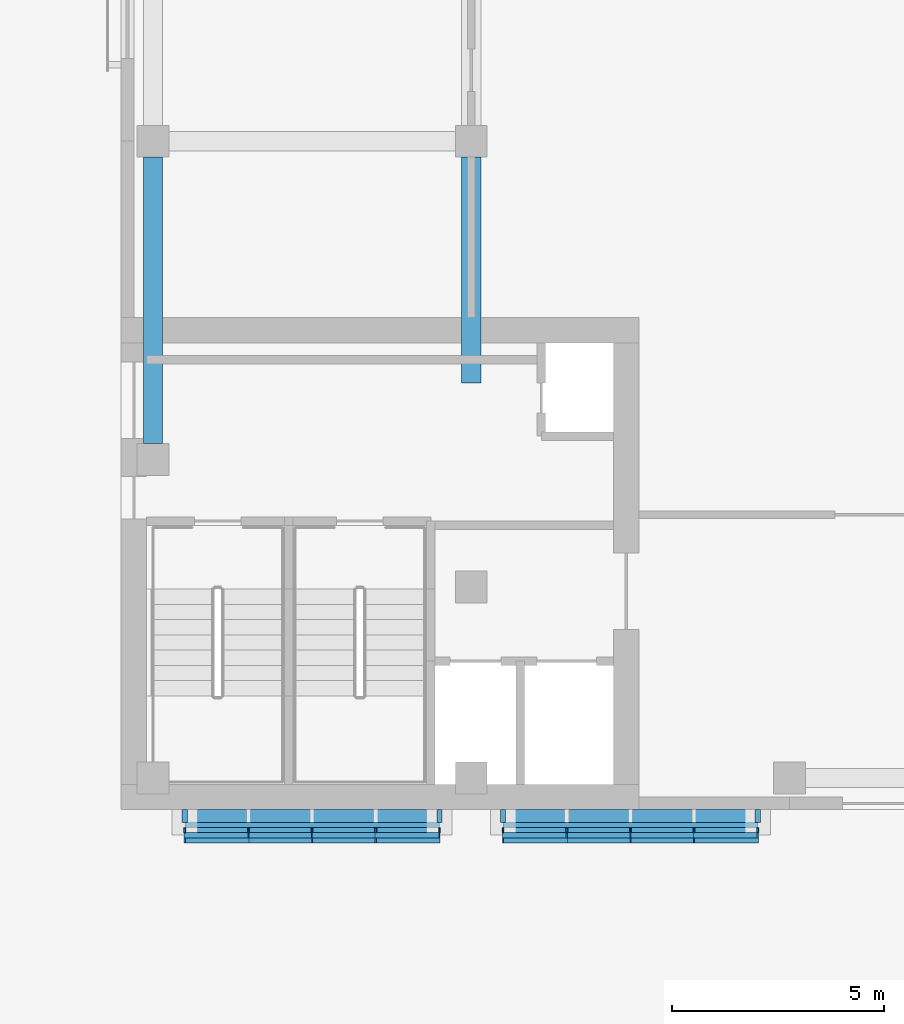
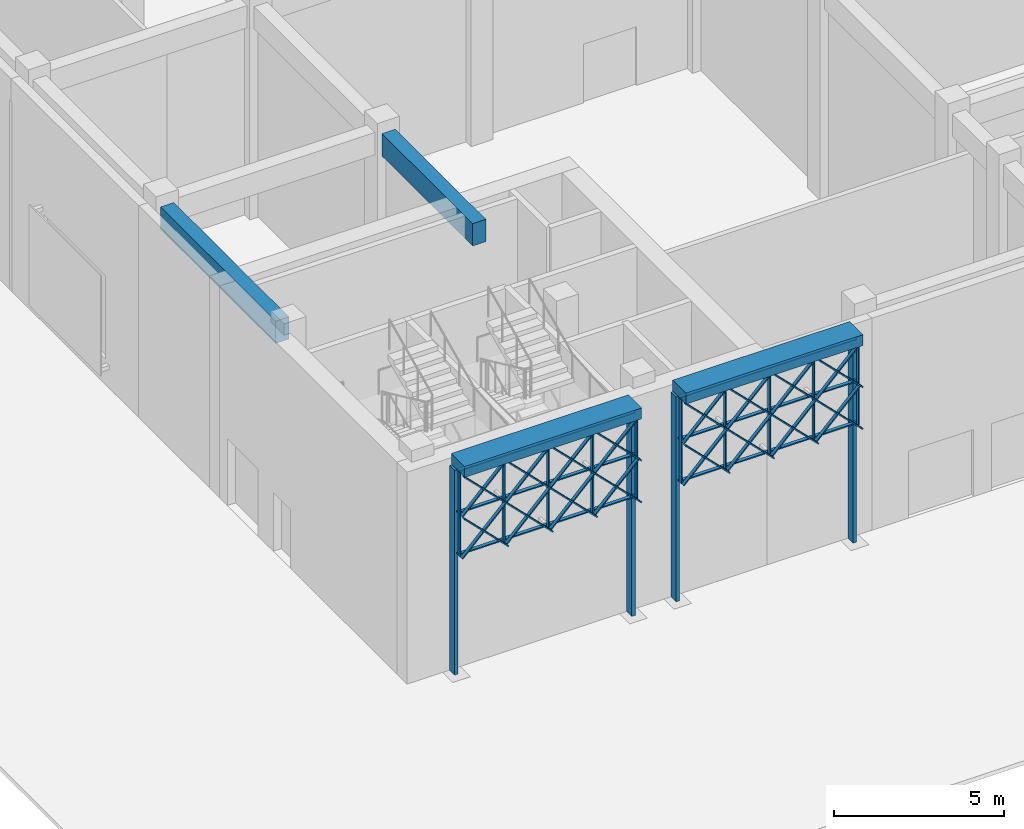
# One storey, part 2 of 64: 40 members, 4 beams.
"""IFC4 building model written with IfcOpenShell, lengths in metres."""

import ifcopenshell
import ifcopenshell.guid

model = None  # the IFC model being written
_history = None  # IfcOwnerHistory: only IFC2X3 demands one
_inside = {}  # id of a spatial element -> (the spatial element, [elements in it])
_under = {}  # id of a project, library or spatial element -> (it, [spatial elements below it])
_declared = {}  # id of a project -> (the project, [libraries it declares])
_typed = {}  # id of a type object -> (the type object, [elements of that type])
_made_of = {}  # id of a material, layer set ... -> (it, [elements and type objects made of it])


def new_model(schema):
    """Start an empty IFC model of exactly this schema.

    Asked for "IFC4X3", IfcOpenShell would pick the latest addendum, in which some entities
    have other attributes; the version numbers below select the first issue.
    IFC2X3 requires an IfcOwnerHistory on every rooted entity: one is made here for all.
    """
    global model, _history
    if schema == "IFC4X3":
        model = ifcopenshell.file(schema_version=(4, 3, 0, 0))
    else:
        model = ifcopenshell.file(schema=schema)
    _inside.clear()
    _under.clear()
    _declared.clear()
    _typed.clear()
    _made_of.clear()
    _history = None
    if model.schema == "IFC2X3":
        org = make("IfcOrganization", Name="unknown")
        user = make(
            "IfcPersonAndOrganization",
            ThePerson=make("IfcPerson", FamilyName="unknown"),
            TheOrganization=org,
        )
        app = make(
            "IfcApplication",
            ApplicationDeveloper=org,
            Version="unknown",
            ApplicationFullName="unknown",
            ApplicationIdentifier="unknown",
        )
        _history = make(
            "IfcOwnerHistory",
            OwningUser=user,
            OwningApplication=app,
            ChangeAction="ADDED",
            CreationDate=0,
        )
    return model


def make(cls, **values):
    """One entity of the class cls with the attributes given. An attribute that is None is left unset."""
    return model.create_entity(
        cls, **{name: value for name, value in values.items() if value is not None}
    )


def rooted(cls, **values):
    """An entity with a GlobalId (a new one), such as an element, a storey or a relation."""
    return make(cls, GlobalId=ifcopenshell.guid.new(), OwnerHistory=_history, **values)


def si_unit(unit_type, name, prefix=None):
    """IfcSIUnit, for example si_unit("LENGTHUNIT", "METRE", prefix="MILLI")."""
    return make("IfcSIUnit", UnitType=unit_type, Prefix=prefix, Name=name)


def assignment(units):
    """IfcUnitAssignment: the units of a project."""
    return None if units is None else make("IfcUnitAssignment", Units=units)


def point(xyz):
    """IfcCartesianPoint."""
    return None if xyz is None else make("IfcCartesianPoint", Coordinates=xyz)


def direction(xyz):
    """IfcDirection."""
    return None if xyz is None else make("IfcDirection", DirectionRatios=xyz)


def frame(location, z_axis=None, x_axis=None):
    """IfcAxis2Placement3D, a coordinate frame: its origin and axes. An axis left out is left unset."""
    return make(
        "IfcAxis2Placement3D",
        Location=point(location),
        Axis=direction(z_axis),
        RefDirection=direction(x_axis),
    )


def frame_2d(location, x_axis=None):
    """IfcAxis2Placement2D, a coordinate frame in the plane: its origin and x axis."""
    return make(
        "IfcAxis2Placement2D", Location=point(location), RefDirection=direction(x_axis)
    )


def origin():
    """The frame at (0, 0, 0) with its axes left unset."""
    return frame((0.0, 0.0, 0.0))


def origin_2d():
    """The frame at (0, 0) in the plane with its x axis left unset."""
    return frame_2d((0.0, 0.0))


def place(relative_to, where):
    """IfcLocalPlacement: puts the frame where relative to a parent placement (None: the world)."""
    return make(
        "IfcLocalPlacement", PlacementRelTo=relative_to, RelativePlacement=where
    )


def context(
    kind, dimensions, precision=None, world=None, true_north=None, identifier=None
):
    """IfcGeometricRepresentationContext, for example the 3D "Model" context."""
    return make(
        "IfcGeometricRepresentationContext",
        ContextIdentifier=identifier,
        ContextType=kind,
        CoordinateSpaceDimension=dimensions,
        Precision=precision,
        WorldCoordinateSystem=world,
        TrueNorth=true_north,
    )


def subcontext(parent, identifier, kind, view, scale=None):
    """IfcGeometricRepresentationSubContext, for example "Body" below "Model"."""
    return make(
        "IfcGeometricRepresentationSubContext",
        ContextIdentifier=identifier,
        ContextType=kind,
        ParentContext=parent,
        TargetScale=scale,
        TargetView=view,
    )


def project(units=None, contexts=None):
    """IfcProject with its units and contexts."""
    return rooted(
        "IfcProject",
        Name="project",
        RepresentationContexts=contexts,
        UnitsInContext=assignment(units),
    )


def spatial(cls, under=None, at=None, **own):
    """A site, building, storey or space (cls), placed at a placement, below another one or the project."""
    s = rooted(cls, ObjectPlacement=at, **own)
    if under is not None:
        _under.setdefault(under.id(), (under, []))[1].append(s)
    return s


def profile(cls, at=None, kind="AREA", **sizes):
    """A parametric profile (cls). Its sizes go by their IFC names, for example OverallWidth=200.0."""
    return make(cls, ProfileType=kind, Position=at, **sizes)


def rectangle(**sizes):
    """IfcRectangleProfileDef."""
    return profile("IfcRectangleProfileDef", **sizes)


def extrude(swept, where, along, depth):
    """IfcExtrudedAreaSolid: the profile swept, set in the frame where, extruded along a direction by depth."""
    return make(
        "IfcExtrudedAreaSolid",
        SweptArea=swept,
        Position=where,
        ExtrudedDirection=direction(along),
        Depth=depth,
    )


def shape(context_of_items, identifier, shape_type, items):
    """IfcShapeRepresentation: the items that make up one representation, for example the "Body"."""
    return make(
        "IfcShapeRepresentation",
        ContextOfItems=context_of_items,
        RepresentationIdentifier=identifier,
        RepresentationType=shape_type,
        Items=items,
    )


def material(Name=None, Category=None):
    """IfcMaterial."""
    return make("IfcMaterial", Name=Name, Category=Category)


def material_profile(
    of_material, cross_section, Name=None, Category=None, Priority=None
):
    """IfcMaterialProfile: a cross section and its material."""
    return make(
        "IfcMaterialProfile",
        Name=Name,
        Material=of_material,
        Profile=cross_section,
        Priority=Priority,
        Category=Category,
    )


def profile_set(profiles, Name=None, composite=None):
    """IfcMaterialProfileSet."""
    return make(
        "IfcMaterialProfileSet",
        Name=Name,
        MaterialProfiles=profiles,
        CompositeProfile=composite,
    )


def made_of(thing, what):
    """Note that an element or type object is made of a material, layer set ...; save() writes the relation."""
    if what is not None:
        _made_of.setdefault(what.id(), (what, []))[1].append(thing)
    return thing


def type_object(cls, material=None, **own):
    """A type object (cls), such as IfcWallType, which elements share."""
    return made_of(rooted(cls, **own), material)


def element(
    cls,
    number,
    at=None,
    inside=None,
    cuts=None,
    type_object=None,
    material=None,
    context=None,
    identifier="Body",
    shape_type=None,
    held_by="IfcProductDefinitionShape",
    body=None,
    shapes=None,
    **own,
):
    """One element of the class cls, such as IfcWall. Its Tag is "e" and its number.

    at: its placement. inside: the storey or other place that contains it. cuts: it is an
    opening in that element (IfcRelVoidsElement). A single representation is given by context,
    identifier, shape_type and body (its items); several are given by shapes. held_by: the class
    of the entity that holds the representations. save() writes the other relations.
    """
    e = rooted(cls, Tag="e%d" % number, ObjectPlacement=at, **own)
    if body is not None:
        shapes = [shape(context, identifier, shape_type, body)]
    if shapes is not None:
        e.Representation = make(held_by, Representations=shapes)
    if inside is not None:
        _inside.setdefault(inside.id(), (inside, []))[1].append(e)
    if cuts is not None:
        rooted(
            "IfcRelVoidsElement", RelatingBuildingElement=cuts, RelatedOpeningElement=e
        )
    if type_object is not None:
        _typed.setdefault(type_object.id(), (type_object, []))[1].append(e)
    return made_of(e, material)


def aggregate(whole, parts):
    """IfcRelAggregates: a whole, such as a stair, and the parts it consists of."""
    return rooted("IfcRelAggregates", RelatingObject=whole, RelatedObjects=parts)


def save(model, path):
    """Write the relations noted so far, then the file.

    IfcRelAggregates (storeys below a building ...), IfcRelContainedInSpatialStructure (elements
    in a storey), IfcRelDefinesByType, IfcRelAssociatesMaterial and IfcRelDeclares: one each for
    every whole, place, type object, material and project.
    """
    for whole, parts in _under.values():
        aggregate(whole, parts)
    for where, things in _inside.values():
        rooted(
            "IfcRelContainedInSpatialStructure",
            RelatedElements=things,
            RelatingStructure=where,
        )
    for kind, things in _typed.values():
        rooted("IfcRelDefinesByType", RelatedObjects=things, RelatingType=kind)
    for what, things in _made_of.values():
        rooted("IfcRelAssociatesMaterial", RelatedObjects=things, RelatingMaterial=what)
    for by, libraries in _declared.values():
        rooted("IfcRelDeclares", RelatingContext=by, RelatedDefinitions=libraries)
    model.write(path)


model = new_model("IFC4")

# Units and contexts
model_context = context("Model", 3, precision=1e-05, world=origin(), true_north=direction((0.0, 1.0)))
body_context = subcontext(model_context, "Body", "Model", "MODEL_VIEW")
ifc_project = project(units=[si_unit("LENGTHUNIT", "METRE"), si_unit("AREAUNIT", "SQUARE_METRE"), si_unit("VOLUMEUNIT", "CUBIC_METRE"), si_unit("PLANEANGLEUNIT", "RADIAN"), si_unit("MASSUNIT", "GRAM", prefix="KILO")], contexts=[model_context])

# Site, building, storey
site_placement = place(None, origin())
site = spatial("IfcSite", under=ifc_project, at=site_placement, CompositionType="ELEMENT")
building_placement = place(site_placement, origin())
building = spatial("IfcBuilding", under=site, at=building_placement, Name="Tessera Arch", CompositionType="ELEMENT")
storey_placement = place(building_placement, origin())
storey = spatial("IfcBuildingStorey", under=building, at=storey_placement, Name="L00", CompositionType="ELEMENT", Elevation=0.0)

# Members
ifc_material_1 = material(Name="Anodised aluminium gold", Category="aluminium")
ifc_material_profile_1 = material_profile(ifc_material_1, rectangle(XDim=0.1201171875, YDim=0.0400390625, at=origin_2d()), Name="AL 40x120")
ifc_profile_set_1 = profile_set([ifc_material_profile_1], Name="Anodised aluminium gold")
member_type_1 = type_object("IfcMemberType", Name="Mashrabiya lattice blade", PredefinedType="USERDEFINED", material=ifc_profile_set_1)
for number, where, z_axis, x_axis, name in (
    (1, (-31.050048828125, -32.909912109375, 4.35009765625), (1.0, 0.0, 0.0), (0.0, 1.0, 0.0), "Lattice blade horizontal"),
    (2, (-31.050048828125, -32.909912109375, 5.85009765625), (1.0, 0.0, 0.0), (0.0, 1.0, 0.0), "Lattice blade horizontal"),
    (3, (-31.050048828125, -32.909912109375, 7.35009765625), (1.0, 0.0, 0.0), (0.0, 1.0, 0.0), "Lattice blade horizontal"),
):
    element("IfcMember", number, at=place(storey_placement, frame(where, z_axis=z_axis, x_axis=x_axis)), inside=storey, type_object=member_type_1, Name=name, ObjectType="FIN", PredefinedType="USERDEFINED", context=body_context, shape_type="SweptSolid", body=[
        extrude(rectangle(XDim=0.1201171875, YDim=0.0400390625, at=origin_2d()), origin(), (0.0, 0.0, 1.0), 6.0),
    ])
for number, where, z_axis, x_axis, name in (
    (4, (-31.050048828125, -33.030029296875, 4.35009765625), (0.0, 0.0, 1.0), (0.0, -1.0, 0.0), "Lattice blade vertical"),
    (5, (-29.550048828125, -33.030029296875, 4.35009765625), (0.0, 0.0, 1.0), (0.0, -1.0, 0.0), "Lattice blade vertical"),
    (6, (-28.050048828125, -33.030029296875, 4.35009765625), (0.0, 0.0, 1.0), (0.0, -1.0, 0.0), "Lattice blade vertical"),
    (7, (-26.550048828125, -33.030029296875, 4.35009765625), (0.0, 0.0, 1.0), (0.0, -1.0, 0.0), "Lattice blade vertical"),
    (8, (-25.050048828125, -33.030029296875, 4.35009765625), (0.0, 0.0, 1.0), (0.0, -1.0, 0.0), "Lattice blade vertical"),
):
    element("IfcMember", number, at=place(storey_placement, frame(where, z_axis=z_axis, x_axis=x_axis)), inside=storey, type_object=member_type_1, Name=name, ObjectType="FIN", PredefinedType="USERDEFINED", context=body_context, shape_type="SweptSolid", body=[
        extrude(rectangle(XDim=0.1201171875, YDim=0.0400390625, at=origin_2d()), origin(), (0.0, 0.0, 1.0), 3.02001953125),
    ])
member_1_placement = place(storey_placement, frame((-31.050048828125, -33.14990234375, 5.85009765625), z_axis=(0.707106781187, 0.0, 0.707106781187), x_axis=(0.0, 1.0, 0.0)))
element("IfcMember", 9, at=member_1_placement, inside=storey, type_object=member_type_1, Name="Lattice blade diagonal", ObjectType="FIN", PredefinedType="USERDEFINED", context=body_context, shape_type="SweptSolid", body=[
    extrude(rectangle(XDim=0.1201171875, YDim=0.0400390625, at=origin_2d()), origin(), (0.0, 0.0, 1.0), 2.121337890625),
])
for number, where, z_axis, x_axis, name in (
    (10, (-31.050048828125, -33.14990234375, 4.35009765625), (0.707106781187, 0.0, 0.707106781187), (0.0, 1.0, 0.0), "Lattice blade diagonal"),
    (11, (-29.550048828125, -33.14990234375, 4.35009765625), (0.707106781187, 0.0, 0.707106781187), (0.0, 1.0, 0.0), "Lattice blade diagonal"),
    (12, (-28.050048828125, -33.14990234375, 4.35009765625), (0.707106781187, 0.0, 0.707106781187), (0.0, 1.0, 0.0), "Lattice blade diagonal"),
):
    element("IfcMember", number, at=place(storey_placement, frame(where, z_axis=z_axis, x_axis=x_axis)), inside=storey, type_object=member_type_1, Name=name, ObjectType="FIN", PredefinedType="USERDEFINED", context=body_context, shape_type="SweptSolid", body=[
        extrude(rectangle(XDim=0.1201171875, YDim=0.0400390625, at=origin_2d()), origin(), (0.0, 0.0, 1.0), 4.24267578125),
    ])
for number, where, z_axis, x_axis, name in (
    (13, (-26.550048828125, -33.14990234375, 4.35009765625), (0.707106781187, 0.0, 0.707106781187), (0.0, 1.0, 0.0), "Lattice blade diagonal"),
    (14, (-31.050048828125, -33.27001953125, 5.85009765625), (0.707106781187, 0.0, -0.707106781187), (0.0, 1.0, 0.0), "Lattice blade diagonal"),
):
    element("IfcMember", number, at=place(storey_placement, frame(where, z_axis=z_axis, x_axis=x_axis)), inside=storey, type_object=member_type_1, Name=name, ObjectType="FIN", PredefinedType="USERDEFINED", context=body_context, shape_type="SweptSolid", body=[
        extrude(rectangle(XDim=0.1201171875, YDim=0.0400390625, at=origin_2d()), origin(), (0.0, 0.0, 1.0), 2.121337890625),
    ])
for number, where, z_axis, x_axis, name in (
    (15, (-31.050048828125, -33.27001953125, 7.35009765625), (0.707106781187, 0.0, -0.707106781187), (0.0, 1.0, 0.0), "Lattice blade diagonal"),
    (16, (-29.550048828125, -33.27001953125, 7.35009765625), (0.707106781187, 0.0, -0.707106781187), (0.0, 1.0, 0.0), "Lattice blade diagonal"),
    (17, (-28.050048828125, -33.27001953125, 7.35009765625), (0.707106781187, 0.0, -0.707106781187), (0.0, 1.0, 0.0), "Lattice blade diagonal"),
):
    element("IfcMember", number, at=place(storey_placement, frame(where, z_axis=z_axis, x_axis=x_axis)), inside=storey, type_object=member_type_1, Name=name, ObjectType="FIN", PredefinedType="USERDEFINED", context=body_context, shape_type="SweptSolid", body=[
        extrude(rectangle(XDim=0.1201171875, YDim=0.0400390625, at=origin_2d()), origin(), (0.0, 0.0, 1.0), 4.24267578125),
    ])
member_2_placement = place(storey_placement, frame((-26.550048828125, -33.27001953125, 7.35009765625), z_axis=(0.707106781187, 0.0, -0.707106781187), x_axis=(0.0, 1.0, 0.0)))
element("IfcMember", 18, at=member_2_placement, inside=storey, type_object=member_type_1, Name="Lattice blade diagonal", ObjectType="FIN", PredefinedType="USERDEFINED", context=body_context, shape_type="SweptSolid", body=[
    extrude(rectangle(XDim=0.1201171875, YDim=0.0400390625, at=origin_2d()), origin(), (0.0, 0.0, 1.0), 2.121337890625),
])
for number, where, z_axis, x_axis, name in (
    (19, (-23.550048828125, -32.909912109375, 4.35009765625), (1.0, 0.0, 0.0), (0.0, 1.0, 0.0), "Lattice blade horizontal"),
    (20, (-23.550048828125, -32.909912109375, 5.85009765625), (1.0, 0.0, 0.0), (0.0, 1.0, 0.0), "Lattice blade horizontal"),
    (21, (-23.550048828125, -32.909912109375, 7.35009765625), (1.0, 0.0, 0.0), (0.0, 1.0, 0.0), "Lattice blade horizontal"),
):
    element("IfcMember", number, at=place(storey_placement, frame(where, z_axis=z_axis, x_axis=x_axis)), inside=storey, type_object=member_type_1, Name=name, ObjectType="FIN", PredefinedType="USERDEFINED", context=body_context, shape_type="SweptSolid", body=[
        extrude(rectangle(XDim=0.1201171875, YDim=0.0400390625, at=origin_2d()), origin(), (0.0, 0.0, 1.0), 6.0),
    ])
for number, where, z_axis, x_axis, name in (
    (22, (-23.550048828125, -33.030029296875, 4.35009765625), (0.0, 0.0, 1.0), (0.0, -1.0, 0.0), "Lattice blade vertical"),
    (23, (-22.050048828125, -33.030029296875, 4.35009765625), (0.0, 0.0, 1.0), (0.0, -1.0, 0.0), "Lattice blade vertical"),
    (24, (-20.550048828125, -33.030029296875, 4.35009765625), (0.0, 0.0, 1.0), (0.0, -1.0, 0.0), "Lattice blade vertical"),
    (25, (-19.050048828125, -33.030029296875, 4.35009765625), (0.0, 0.0, 1.0), (0.0, -1.0, 0.0), "Lattice blade vertical"),
    (26, (-17.550048828125, -33.030029296875, 4.35009765625), (0.0, 0.0, 1.0), (0.0, -1.0, 0.0), "Lattice blade vertical"),
):
    element("IfcMember", number, at=place(storey_placement, frame(where, z_axis=z_axis, x_axis=x_axis)), inside=storey, type_object=member_type_1, Name=name, ObjectType="FIN", PredefinedType="USERDEFINED", context=body_context, shape_type="SweptSolid", body=[
        extrude(rectangle(XDim=0.1201171875, YDim=0.0400390625, at=origin_2d()), origin(), (0.0, 0.0, 1.0), 3.02001953125),
    ])
member_3_placement = place(storey_placement, frame((-23.550048828125, -33.14990234375, 5.85009765625), z_axis=(0.707106781187, 0.0, 0.707106781187), x_axis=(0.0, 1.0, 0.0)))
element("IfcMember", 27, at=member_3_placement, inside=storey, type_object=member_type_1, Name="Lattice blade diagonal", ObjectType="FIN", PredefinedType="USERDEFINED", context=body_context, shape_type="SweptSolid", body=[
    extrude(rectangle(XDim=0.1201171875, YDim=0.0400390625, at=origin_2d()), origin(), (0.0, 0.0, 1.0), 2.121337890625),
])
for number, where, z_axis, x_axis, name in (
    (28, (-23.550048828125, -33.14990234375, 4.35009765625), (0.707106781187, 0.0, 0.707106781187), (0.0, 1.0, 0.0), "Lattice blade diagonal"),
    (29, (-22.050048828125, -33.14990234375, 4.35009765625), (0.707106781187, 0.0, 0.707106781187), (0.0, 1.0, 0.0), "Lattice blade diagonal"),
    (30, (-20.550048828125, -33.14990234375, 4.35009765625), (0.707106781187, 0.0, 0.707106781187), (0.0, 1.0, 0.0), "Lattice blade diagonal"),
):
    element("IfcMember", number, at=place(storey_placement, frame(where, z_axis=z_axis, x_axis=x_axis)), inside=storey, type_object=member_type_1, Name=name, ObjectType="FIN", PredefinedType="USERDEFINED", context=body_context, shape_type="SweptSolid", body=[
        extrude(rectangle(XDim=0.1201171875, YDim=0.0400390625, at=origin_2d()), origin(), (0.0, 0.0, 1.0), 4.24267578125),
    ])
for number, where, z_axis, x_axis, name in (
    (31, (-19.050048828125, -33.14990234375, 4.35009765625), (0.707106781187, 0.0, 0.707106781187), (0.0, 1.0, 0.0), "Lattice blade diagonal"),
    (32, (-23.550048828125, -33.27001953125, 5.85009765625), (0.707106781187, 0.0, -0.707106781187), (0.0, 1.0, 0.0), "Lattice blade diagonal"),
):
    element("IfcMember", number, at=place(storey_placement, frame(where, z_axis=z_axis, x_axis=x_axis)), inside=storey, type_object=member_type_1, Name=name, ObjectType="FIN", PredefinedType="USERDEFINED", context=body_context, shape_type="SweptSolid", body=[
        extrude(rectangle(XDim=0.1201171875, YDim=0.0400390625, at=origin_2d()), origin(), (0.0, 0.0, 1.0), 2.121337890625),
    ])
for number, where, z_axis, x_axis, name in (
    (33, (-23.550048828125, -33.27001953125, 7.35009765625), (0.707106781187, 0.0, -0.707106781187), (0.0, 1.0, 0.0), "Lattice blade diagonal"),
    (34, (-22.050048828125, -33.27001953125, 7.35009765625), (0.707106781187, 0.0, -0.707106781187), (0.0, 1.0, 0.0), "Lattice blade diagonal"),
    (35, (-20.550048828125, -33.27001953125, 7.35009765625), (0.707106781187, 0.0, -0.707106781187), (0.0, 1.0, 0.0), "Lattice blade diagonal"),
):
    element("IfcMember", number, at=place(storey_placement, frame(where, z_axis=z_axis, x_axis=x_axis)), inside=storey, type_object=member_type_1, Name=name, ObjectType="FIN", PredefinedType="USERDEFINED", context=body_context, shape_type="SweptSolid", body=[
        extrude(rectangle(XDim=0.1201171875, YDim=0.0400390625, at=origin_2d()), origin(), (0.0, 0.0, 1.0), 4.24267578125),
    ])
member_4_placement = place(storey_placement, frame((-19.050048828125, -33.27001953125, 7.35009765625), z_axis=(0.707106781187, 0.0, -0.707106781187), x_axis=(0.0, 1.0, 0.0)))
element("IfcMember", 36, at=member_4_placement, inside=storey, type_object=member_type_1, Name="Lattice blade diagonal", ObjectType="FIN", PredefinedType="USERDEFINED", context=body_context, shape_type="SweptSolid", body=[
    extrude(rectangle(XDim=0.1201171875, YDim=0.0400390625, at=origin_2d()), origin(), (0.0, 0.0, 1.0), 2.121337890625),
])

# Beams
ifc_material_2 = material(Name="Concrete C40/50", Category="concrete")
ifc_material_profile_2 = material_profile(ifc_material_2, rectangle(XDim=0.449951171875, YDim=0.800048828125, at=origin_2d()), Name="Museum beam 450 x 800 Concrete C40/50")
ifc_profile_set_2 = profile_set([ifc_material_profile_2], Name="Concrete C40/50")
beam_type_1 = type_object("IfcBeamType", Name="Museum beam 450 x 800 Concrete C40/50", PredefinedType="BEAM", material=ifc_profile_set_2)
beam_1_placement = place(storey_placement, frame((-31.800048828125, -23.925048828125, 7.18994140625), z_axis=(0.0, 1.0, 0.0), x_axis=(-1.0, 0.0, 0.0)))
element("IfcBeam", 37, at=beam_1_placement, inside=storey, type_object=beam_type_1, Name="Museum beam L00 1", PredefinedType="BEAM", context=body_context, shape_type="SweptSolid", body=[
    extrude(rectangle(XDim=0.449951171875, YDim=0.800048828125, at=origin_2d()), origin(), (0.0, 0.0, 1.0), 6.75),
])
beam_2_placement = place(storey_placement, frame((-24.300048828125, -17.175048828125, 7.18994140625), z_axis=(0.0, -1.0, 0.0), x_axis=(1.0, 0.0, 0.0)))
element("IfcBeam", 38, at=beam_2_placement, inside=storey, type_object=beam_type_1, Name="Museum beam L00 89", PredefinedType="BEAM", context=body_context, shape_type="SweptSolid", body=[
    extrude(rectangle(XDim=0.449951171875, YDim=0.800048828125, at=origin_2d()), origin(), (0.0, 0.0, 1.0), 5.324951171875),
])
ifc_material_3 = material(Name="Aluminium alloy 6063-T6", Category="aluminium")
ifc_material_profile_3 = material_profile(ifc_material_3, rectangle(XDim=0.780029296875, YDim=0.389892578125, at=origin_2d()), Name="AL 780x390")
ifc_profile_set_3 = profile_set([ifc_material_profile_3], Name="Aluminium alloy 6063-T6")
beam_type_2 = type_object("IfcBeamType", Name="Screen head beam", PredefinedType="BEAM", material=ifc_profile_set_3)
for number, where, z_axis, x_axis, name in (
    (39, (-31.050048828125, -32.93994140625, 7.544921875), (1.0, 0.0, 0.0), (0.0, 1.0, 0.0), "Screen head beam"),
    (40, (-23.550048828125, -32.93994140625, 7.544921875), (1.0, 0.0, 0.0), (0.0, 1.0, 0.0), "Screen head beam"),
):
    element("IfcBeam", number, at=place(storey_placement, frame(where, z_axis=z_axis, x_axis=x_axis)), inside=storey, type_object=beam_type_2, Name=name, PredefinedType="BEAM", context=body_context, shape_type="SweptSolid", body=[
        extrude(rectangle(XDim=0.780029296875, YDim=0.389892578125, at=origin_2d()), origin(), (0.0, 0.0, 1.0), 6.0),
    ])

# Members
ifc_material_4 = material(Name="Aluminium alloy 6063-T6", Category="aluminium")
ifc_material_profile_4 = material_profile(ifc_material_4, rectangle(XDim=0.300048828125, YDim=0.1201171875, at=origin_2d()), Name="AL 120x300")
ifc_profile_set_4 = profile_set([ifc_material_profile_4], Name="Aluminium alloy 6063-T6")
member_type_2 = type_object("IfcMemberType", Name="Screen post", PredefinedType="POST", material=ifc_profile_set_4)
for number, where, z_axis, x_axis, name in (
    (41, (-31.050048828125, -32.699951171875, 0.0), (0.0, 0.0, 1.0), (0.0, -1.0, 0.0), "Screen post"),
    (42, (-25.050048828125, -32.699951171875, 0.0), (0.0, 0.0, 1.0), (0.0, -1.0, 0.0), "Screen post"),
    (43, (-23.550048828125, -32.699951171875, 0.0), (0.0, 0.0, 1.0), (0.0, -1.0, 0.0), "Screen post"),
    (44, (-17.550048828125, -32.699951171875, 0.0), (0.0, 0.0, 1.0), (0.0, -1.0, 0.0), "Screen post"),
):
    element("IfcMember", number, at=place(storey_placement, frame(where, z_axis=z_axis, x_axis=x_axis)), inside=storey, type_object=member_type_2, Name=name, PredefinedType="POST", context=body_context, shape_type="SweptSolid", body=[
        extrude(rectangle(XDim=0.300048828125, YDim=0.1201171875, at=origin_2d()), origin(), (0.0, 0.0, 1.0), 7.330078125),
    ])

save(model, "model.ifc")
